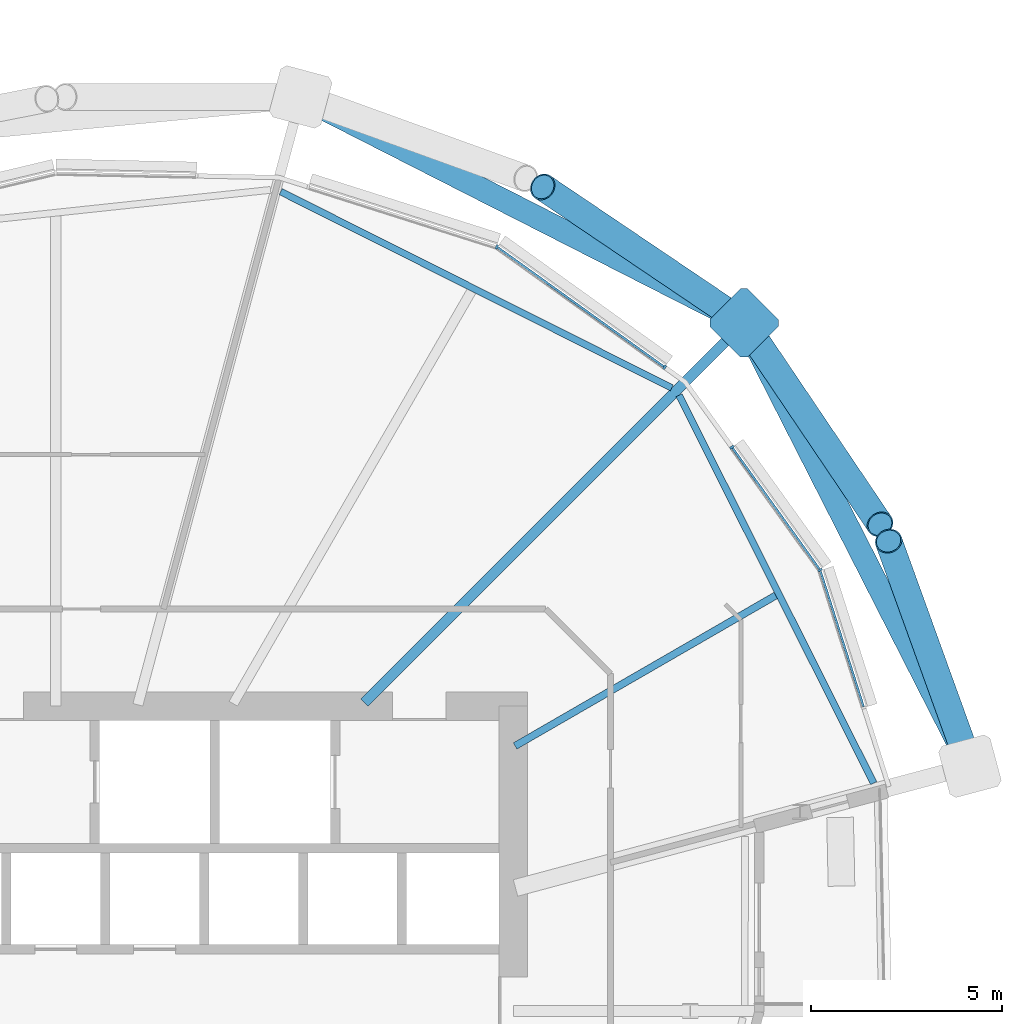
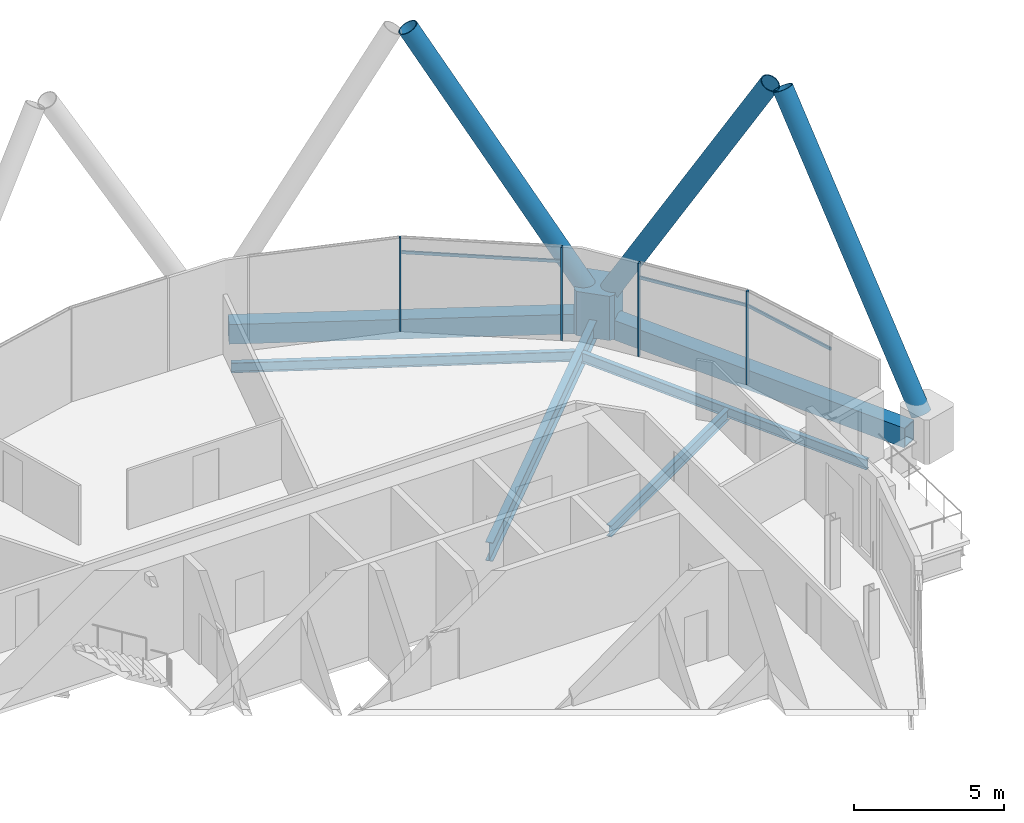
# One storey, part 21 of 38: 11 members, 6 beams, 1 element without a shape of its own.
"""IFC4 building model written with IfcOpenShell, lengths in metres."""

import ifcopenshell
import ifcopenshell.guid

model = None  # the IFC model being written
_history = None  # IfcOwnerHistory: only IFC2X3 demands one
_inside = {}  # id of a spatial element -> (the spatial element, [elements in it])
_under = {}  # id of a project, library or spatial element -> (it, [spatial elements below it])
_declared = {}  # id of a project -> (the project, [libraries it declares])
_typed = {}  # id of a type object -> (the type object, [elements of that type])
_made_of = {}  # id of a material, layer set ... -> (it, [elements and type objects made of it])


def new_model(schema):
    """Start an empty IFC model of exactly this schema.

    Asked for "IFC4X3", IfcOpenShell would pick the latest addendum, in which some entities
    have other attributes; the version numbers below select the first issue.
    IFC2X3 requires an IfcOwnerHistory on every rooted entity: one is made here for all.
    """
    global model, _history
    if schema == "IFC4X3":
        model = ifcopenshell.file(schema_version=(4, 3, 0, 0))
    else:
        model = ifcopenshell.file(schema=schema)
    _inside.clear()
    _under.clear()
    _declared.clear()
    _typed.clear()
    _made_of.clear()
    _history = None
    if model.schema == "IFC2X3":
        org = make("IfcOrganization", Name="unknown")
        user = make(
            "IfcPersonAndOrganization",
            ThePerson=make("IfcPerson", FamilyName="unknown"),
            TheOrganization=org,
        )
        app = make(
            "IfcApplication",
            ApplicationDeveloper=org,
            Version="unknown",
            ApplicationFullName="unknown",
            ApplicationIdentifier="unknown",
        )
        _history = make(
            "IfcOwnerHistory",
            OwningUser=user,
            OwningApplication=app,
            ChangeAction="ADDED",
            CreationDate=0,
        )
    return model


def make(cls, **values):
    """One entity of the class cls with the attributes given. An attribute that is None is left unset."""
    return model.create_entity(
        cls, **{name: value for name, value in values.items() if value is not None}
    )


def rooted(cls, **values):
    """An entity with a GlobalId (a new one), such as an element, a storey or a relation."""
    return make(cls, GlobalId=ifcopenshell.guid.new(), OwnerHistory=_history, **values)


def si_unit(unit_type, name, prefix=None):
    """IfcSIUnit, for example si_unit("LENGTHUNIT", "METRE", prefix="MILLI")."""
    return make("IfcSIUnit", UnitType=unit_type, Prefix=prefix, Name=name)


def assignment(units):
    """IfcUnitAssignment: the units of a project."""
    return None if units is None else make("IfcUnitAssignment", Units=units)


def point(xyz):
    """IfcCartesianPoint."""
    return None if xyz is None else make("IfcCartesianPoint", Coordinates=xyz)


def direction(xyz):
    """IfcDirection."""
    return None if xyz is None else make("IfcDirection", DirectionRatios=xyz)


def frame(location, z_axis=None, x_axis=None):
    """IfcAxis2Placement3D, a coordinate frame: its origin and axes. An axis left out is left unset."""
    return make(
        "IfcAxis2Placement3D",
        Location=point(location),
        Axis=direction(z_axis),
        RefDirection=direction(x_axis),
    )


def frame_2d(location, x_axis=None):
    """IfcAxis2Placement2D, a coordinate frame in the plane: its origin and x axis."""
    return make(
        "IfcAxis2Placement2D", Location=point(location), RefDirection=direction(x_axis)
    )


def origin():
    """The frame at (0, 0, 0) with its axes left unset."""
    return frame((0.0, 0.0, 0.0))


def origin_2d():
    """The frame at (0, 0) in the plane with its x axis left unset."""
    return frame_2d((0.0, 0.0))


def place(relative_to, where):
    """IfcLocalPlacement: puts the frame where relative to a parent placement (None: the world)."""
    return make(
        "IfcLocalPlacement", PlacementRelTo=relative_to, RelativePlacement=where
    )


def context(
    kind, dimensions, precision=None, world=None, true_north=None, identifier=None
):
    """IfcGeometricRepresentationContext, for example the 3D "Model" context."""
    return make(
        "IfcGeometricRepresentationContext",
        ContextIdentifier=identifier,
        ContextType=kind,
        CoordinateSpaceDimension=dimensions,
        Precision=precision,
        WorldCoordinateSystem=world,
        TrueNorth=true_north,
    )


def subcontext(parent, identifier, kind, view, scale=None):
    """IfcGeometricRepresentationSubContext, for example "Body" below "Model"."""
    return make(
        "IfcGeometricRepresentationSubContext",
        ContextIdentifier=identifier,
        ContextType=kind,
        ParentContext=parent,
        TargetScale=scale,
        TargetView=view,
    )


def project(units=None, contexts=None):
    """IfcProject with its units and contexts."""
    return rooted(
        "IfcProject",
        Name="project",
        RepresentationContexts=contexts,
        UnitsInContext=assignment(units),
    )


def spatial(cls, under=None, at=None, **own):
    """A site, building, storey or space (cls), placed at a placement, below another one or the project."""
    s = rooted(cls, ObjectPlacement=at, **own)
    if under is not None:
        _under.setdefault(under.id(), (under, []))[1].append(s)
    return s


def polyline(points):
    """IfcPolyline through the points."""
    return make("IfcPolyline", Points=[point(p) for p in points])


def profile(cls, at=None, kind="AREA", **sizes):
    """A parametric profile (cls). Its sizes go by their IFC names, for example OverallWidth=200.0."""
    return make(cls, ProfileType=kind, Position=at, **sizes)


def rectangle(**sizes):
    """IfcRectangleProfileDef."""
    return profile("IfcRectangleProfileDef", **sizes)


def hollow_rectangle(**sizes):
    """IfcRectangleHollowProfileDef."""
    return profile("IfcRectangleHollowProfileDef", **sizes)


def hollow_circle(**sizes):
    """IfcCircleHollowProfileDef."""
    return profile("IfcCircleHollowProfileDef", **sizes)


def i_section(**sizes):
    """IfcIShapeProfileDef."""
    return profile("IfcIShapeProfileDef", **sizes)


def outline(outer, holes=None, kind="AREA"):
    """IfcArbitraryClosedProfileDef: a profile drawn as a closed curve; with holes, ...WithVoids."""
    if holes is None:
        return make("IfcArbitraryClosedProfileDef", ProfileType=kind, OuterCurve=outer)
    return make(
        "IfcArbitraryProfileDefWithVoids",
        ProfileType=kind,
        OuterCurve=outer,
        InnerCurves=holes,
    )


def extrude(swept, where, along, depth):
    """IfcExtrudedAreaSolid: the profile swept, set in the frame where, extruded along a direction by depth."""
    return make(
        "IfcExtrudedAreaSolid",
        SweptArea=swept,
        Position=where,
        ExtrudedDirection=direction(along),
        Depth=depth,
    )


def shape(context_of_items, identifier, shape_type, items):
    """IfcShapeRepresentation: the items that make up one representation, for example the "Body"."""
    return make(
        "IfcShapeRepresentation",
        ContextOfItems=context_of_items,
        RepresentationIdentifier=identifier,
        RepresentationType=shape_type,
        Items=items,
    )


def material(Name=None, Category=None):
    """IfcMaterial."""
    return make("IfcMaterial", Name=Name, Category=Category)


def material_profile(
    of_material, cross_section, Name=None, Category=None, Priority=None
):
    """IfcMaterialProfile: a cross section and its material."""
    return make(
        "IfcMaterialProfile",
        Name=Name,
        Material=of_material,
        Profile=cross_section,
        Priority=Priority,
        Category=Category,
    )


def profile_set(profiles, Name=None, composite=None):
    """IfcMaterialProfileSet."""
    return make(
        "IfcMaterialProfileSet",
        Name=Name,
        MaterialProfiles=profiles,
        CompositeProfile=composite,
    )


def made_of(thing, what):
    """Note that an element or type object is made of a material, layer set ...; save() writes the relation."""
    if what is not None:
        _made_of.setdefault(what.id(), (what, []))[1].append(thing)
    return thing


def type_object(cls, material=None, **own):
    """A type object (cls), such as IfcWallType, which elements share."""
    return made_of(rooted(cls, **own), material)


def element(
    cls,
    number,
    at=None,
    inside=None,
    cuts=None,
    type_object=None,
    material=None,
    context=None,
    identifier="Body",
    shape_type=None,
    held_by="IfcProductDefinitionShape",
    body=None,
    shapes=None,
    **own,
):
    """One element of the class cls, such as IfcWall. Its Tag is "e" and its number.

    at: its placement. inside: the storey or other place that contains it. cuts: it is an
    opening in that element (IfcRelVoidsElement). A single representation is given by context,
    identifier, shape_type and body (its items); several are given by shapes. held_by: the class
    of the entity that holds the representations. save() writes the other relations.
    """
    e = rooted(cls, Tag="e%d" % number, ObjectPlacement=at, **own)
    if body is not None:
        shapes = [shape(context, identifier, shape_type, body)]
    if shapes is not None:
        e.Representation = make(held_by, Representations=shapes)
    if inside is not None:
        _inside.setdefault(inside.id(), (inside, []))[1].append(e)
    if cuts is not None:
        rooted(
            "IfcRelVoidsElement", RelatingBuildingElement=cuts, RelatedOpeningElement=e
        )
    if type_object is not None:
        _typed.setdefault(type_object.id(), (type_object, []))[1].append(e)
    return made_of(e, material)


def aggregate(whole, parts):
    """IfcRelAggregates: a whole, such as a stair, and the parts it consists of."""
    return rooted("IfcRelAggregates", RelatingObject=whole, RelatedObjects=parts)


def save(model, path):
    """Write the relations noted so far, then the file.

    IfcRelAggregates (storeys below a building ...), IfcRelContainedInSpatialStructure (elements
    in a storey), IfcRelDefinesByType, IfcRelAssociatesMaterial and IfcRelDeclares: one each for
    every whole, place, type object, material and project.
    """
    for whole, parts in _under.values():
        aggregate(whole, parts)
    for where, things in _inside.values():
        rooted(
            "IfcRelContainedInSpatialStructure",
            RelatedElements=things,
            RelatingStructure=where,
        )
    for kind, things in _typed.values():
        rooted("IfcRelDefinesByType", RelatedObjects=things, RelatingType=kind)
    for what, things in _made_of.values():
        rooted("IfcRelAssociatesMaterial", RelatedObjects=things, RelatingMaterial=what)
    for by, libraries in _declared.values():
        rooted("IfcRelDeclares", RelatingContext=by, RelatedDefinitions=libraries)
    model.write(path)


model = new_model("IFC4")

# Units and contexts
model_context = context("Model", 3, precision=1e-05, world=origin(), true_north=direction((0.0, 1.0)))
body_context = subcontext(model_context, "Body", "Model", "MODEL_VIEW")
ifc_project = project(units=[si_unit("LENGTHUNIT", "METRE"), si_unit("AREAUNIT", "SQUARE_METRE"), si_unit("VOLUMEUNIT", "CUBIC_METRE"), si_unit("PLANEANGLEUNIT", "RADIAN"), si_unit("MASSUNIT", "GRAM", prefix="KILO")], contexts=[model_context])

# Site, building, storey
site_placement = place(None, origin())
site = spatial("IfcSite", under=ifc_project, at=site_placement, CompositionType="ELEMENT")
building_placement = place(site_placement, origin())
building = spatial("IfcBuilding", under=site, at=building_placement, Name="Rimbun Link Towers", CompositionType="ELEMENT")
storey_placement = place(building_placement, frame((0.0, 0.0, 104.39990234375)))
storey = spatial("IfcBuildingStorey", under=building, at=storey_placement, Name="L25", CompositionType="ELEMENT", Elevation=104.39990234375)

# Curtain wall, members
ifc_material_1 = material(Name="Aluminium 6063-T6 and low-iron glass", Category="aluminium")
curtain_wall_type = type_object("IfcCurtainWallType", Name="CW1-Z2 unitised vision wall (zone 2)", PredefinedType="NOTDEFINED", material=ifc_material_1)
curtain_wall_placement = place(storey_placement, origin())
curtain_wall = element("IfcCurtainWall", 1, at=curtain_wall_placement, inside=storey, type_object=curtain_wall_type, Name="CW1 L25 T2", PredefinedType="NOTDEFINED")
ifc_material_2 = material(Name="Aluminium 6063-T6", Category="aluminium")
ifc_material_profile_1 = material_profile(ifc_material_2, rectangle(XDim=0.1201171875, YDim=0.06005859375, at=origin_2d()), Name="MULLION 60X120")
ifc_profile_set_1 = profile_set([ifc_material_profile_1], Name="Aluminium 6063-T6")
member_type_1 = type_object("IfcMemberType", Name="CW1 mullion 60X120", PredefinedType="MULLION", material=ifc_profile_set_1)
member_1_placement = place(storey_placement, frame((43.3203125, 20.04736328125, 0.0), z_axis=(0.0, 0.0, 1.0), x_axis=(0.448567495073, 0.893748959364, 0.0)))
member_1 = element("IfcMember", 2, at=member_1_placement, type_object=member_type_1, Name="CW1 mullion", PredefinedType="MULLION", context=body_context, shape_type="SweptSolid", body=[
    extrude(rectangle(XDim=0.1201171875, YDim=0.06005859375, at=origin_2d()), origin(), (0.0, 0.0, 1.0), 3.800048828125),
])
member_2_placement = place(storey_placement, frame((47.72021484375, 16.89111328125, 0.0), z_axis=(0.0, 0.0, 1.0), x_axis=(0.583006707221, 0.812467340473, 0.0)))
member_2 = element("IfcMember", 3, at=member_2_placement, type_object=member_type_1, Name="CW1 mullion", PredefinedType="MULLION", context=body_context, shape_type="SweptSolid", body=[
    extrude(rectangle(XDim=0.1201171875, YDim=0.06005859375, at=origin_2d()), origin(), (0.0, 0.0, 1.0), 3.800048828125),
])
member_3_placement = place(storey_placement, frame((51.79736328125, 11.5703125, 0.0), z_axis=(0.0, 0.0, 1.0), x_axis=(0.893748959364, 0.448567495073, 0.0)))
member_3 = element("IfcMember", 4, at=member_3_placement, type_object=member_type_1, Name="CW1 mullion", PredefinedType="MULLION", context=body_context, shape_type="SweptSolid", body=[
    extrude(rectangle(XDim=0.1201171875, YDim=0.06005859375, at=origin_2d()), origin(), (0.0, 0.0, 1.0), 3.800048828125),
])
member_4_placement = place(storey_placement, frame((49.486328125, 14.7919921875, 0.0), z_axis=(0.0, 0.0, 1.0), x_axis=(0.812467340473, 0.583006707221, 0.0)))
member_4 = element("IfcMember", 5, at=member_4_placement, type_object=member_type_1, Name="CW1 mullion", PredefinedType="MULLION", context=body_context, shape_type="SweptSolid", body=[
    extrude(rectangle(XDim=0.1201171875, YDim=0.06005859375, at=origin_2d()), origin(), (0.0, 0.0, 1.0), 3.800048828125),
])
ifc_material_3 = material(Name="Aluminium 6063-T6", Category="aluminium")
ifc_material_profile_2 = material_profile(ifc_material_3, rectangle(XDim=0.06005859375, YDim=0.1201171875, at=origin_2d()), Name="TRANSOM 60X120")
ifc_profile_set_2 = profile_set([ifc_material_profile_2], Name="Aluminium 6063-T6")
member_type_2 = type_object("IfcMemberType", Name="CW1 transom 60X120", PredefinedType="USERDEFINED", material=ifc_profile_set_2)
member_5_placement = place(storey_placement, frame((43.3515625, 20.0234375, 3.2001953125), z_axis=(0.812466294381, -0.583008165033, 0.0), x_axis=(0.583008165033, 0.812466294381, 0.0)))
member_5 = element("IfcMember", 6, at=member_5_placement, type_object=member_type_2, Name="CW1 transom", ObjectType="TRANSOM", PredefinedType="USERDEFINED", context=body_context, shape_type="SweptSolid", body=[
    extrude(rectangle(XDim=0.06005859375, YDim=0.1201171875, at=origin_2d()), origin(), (0.0, 0.0, 1.0), 5.345458984375),
])
member_6_placement = place(storey_placement, frame((51.80810546875, 11.532470703125, 3.2001953125), z_axis=(0.30305203266, -0.952974010926, 0.0), x_axis=(0.952974010926, 0.30305203266, 0.0)))
member_6 = element("IfcMember", 7, at=member_6_placement, type_object=member_type_2, Name="CW1 transom", ObjectType="TRANSOM", PredefinedType="USERDEFINED", context=body_context, shape_type="SweptSolid", body=[
    extrude(rectangle(XDim=0.06005859375, YDim=0.1201171875, at=origin_2d()), origin(), (0.0, 0.0, 1.0), 3.721923828125),
])
member_7_placement = place(storey_placement, frame((49.502197265625, 14.7666015625, 3.2001953125), z_axis=(0.583021204161, -0.812456937627, 0.0), x_axis=(0.812456937627, 0.583021204161, 0.0)))
member_7 = element("IfcMember", 8, at=member_7_placement, type_object=member_type_2, Name="CW1 transom", ObjectType="TRANSOM", PredefinedType="USERDEFINED", context=body_context, shape_type="SweptSolid", body=[
    extrude(rectangle(XDim=0.06005859375, YDim=0.1201171875, at=origin_2d()), origin(), (0.0, 0.0, 1.0), 3.895751953125),
])
aggregate(curtain_wall, [member_1, member_2, member_3, member_4, member_5, member_6, member_7])

# Members
ifc_material_4 = material(Name="Steel S460NH", Category="steel")
ifc_material_profile_3 = material_profile(ifc_material_4, hollow_circle(Radius=0.355712890625, WallThickness=0.031982421875, at=origin_2d()), Name="Diagrid diagonal CHS 711x32")
ifc_profile_set_3 = profile_set([ifc_material_profile_3], Name="Steel S460NH")
member_type_3 = type_object("IfcMemberType", Name="Diagrid diagonal CHS 711x32", PredefinedType="BRACE", material=ifc_profile_set_3)
for number, where, z_axis, x_axis, name in (
    (9, (49.94482421875, 17.84619140625, 0.432373046875), (0.281101928051, -0.416463626263, 0.864603813342), (0.828858844071, 0.559457788046, 0.0), "Diagrid diagonal T2 L25-L28 00a"),
    (10, (49.59619140625, 18.19482421875, 0.432373046875), (-0.416463626263, 0.281101928051, 0.864603813342), (-0.559457788046, -0.828858844071, 0.0), "Diagrid diagonal T2 L25-L28 00b"),
):
    element("IfcMember", number, at=place(storey_placement, frame(where, z_axis=z_axis, x_axis=x_axis)), inside=storey, type_object=member_type_3, Name=name, PredefinedType="BRACE", context=body_context, shape_type="SweptSolid", body=[
        extrude(hollow_circle(Radius=0.355712890625, WallThickness=0.031982421875, at=origin_2d()), origin(), (0.0, 0.0, 1.0), 12.185302734375),
    ])
member_8_placement = place(storey_placement, frame((55.6455078125, 6.658935546875, 0.43408203125), z_axis=(-0.16895796156, 0.467264618541, 0.867823129148), x_axis=(-0.940410110732, -0.340042385054, 0.0)))
element("IfcMember", 11, at=member_8_placement, inside=storey, type_object=member_type_3, Name="Diagrid diagonal T2 L25-L28 22b", PredefinedType="BRACE", context=body_context, shape_type="SweptSolid", body=[
    extrude(hollow_circle(Radius=0.355712890625, WallThickness=0.031982421875, at=origin_2d()), origin(), (0.0, 0.0, 1.0), 12.136474609375),
])
ifc_material_5 = material(Name="Cast steel G20Mn5+QT, Rp0.2 300 MPa", Category="steel")
ifc_material_profile_4 = material_profile(ifc_material_5, outline(polyline([(0.699951171875, -0.570068359375), (0.699951171875, 0.570068359375), (0.570068359375, 0.699951171875), (-0.570068359375, 0.699951171875), (-0.699951171875, 0.570068359375), (-0.699951171875, -0.570068359375), (-0.570068359375, -0.699951171875), (0.570068359375, -0.699951171875), (0.699951171875, -0.570068359375)])), Name="NODE 1400x1400")
ifc_profile_set_4 = profile_set([ifc_material_profile_4], Name="Cast steel G20Mn5+QT, Rp0.2 300 MPa")
member_type_4 = type_object("IfcMemberType", Name="Diagrid node cast 1400", PredefinedType="USERDEFINED", material=ifc_profile_set_4)
member_9_placement = place(storey_placement, frame((49.80419921875, 18.05419921875, -0.89990234375), z_axis=(0.0, 0.0, 1.0), x_axis=(0.707106781187, 0.707106781187, 0.0)))
element("IfcMember", 12, at=member_9_placement, inside=storey, type_object=member_type_4, Name="Diagrid node L25 00", ObjectType="Diagrid node", PredefinedType="USERDEFINED", context=body_context, shape_type="SweptSolid", body=[
    extrude(outline(polyline([(0.699951171875, -0.570068359375), (0.699951171875, 0.570068359375), (0.570068359375, 0.699951171875), (-0.570068359375, 0.699951171875), (-0.699951171875, 0.570068359375), (-0.699951171875, -0.570068359375), (-0.570068359375, -0.699951171875), (0.570068359375, -0.699951171875), (0.699951171875, -0.570068359375)])), origin(), (0.0, 0.0, 1.0), 1.800048828125),
])

# Beams
ifc_material_6 = material(Name="Steel S355J2", Category="steel")
ifc_material_profile_5 = material_profile(ifc_material_6, hollow_rectangle(XDim=0.60009765625, YDim=0.800048828125, WallThickness=0.0400390625, at=origin_2d()), Name="Exoskeleton ring girder BOX 600x800x40")
ifc_profile_set_5 = profile_set([ifc_material_profile_5], Name="Steel S355J2")
beam_type_1 = type_object("IfcBeamType", Name="Exoskeleton ring girder BOX 600x800x40", PredefinedType="BEAM", material=ifc_profile_set_5)
for number, where, z_axis, x_axis, name in (
    (13, (49.1806640625, 18.3720703125, -0.559814453125), (-0.890994239849, 0.454014608307, 0.0), (-0.454014608307, -0.890994239849, 0.0), "Exoskeleton ring girder L25 00"),
    (14, (55.412109375, 7.049072265625, -0.559814453125), (-0.454014608307, 0.890994239849, 0.0), (-0.890994239849, -0.454014608307, 0.0), "Exoskeleton ring girder L25 09"),
):
    element("IfcBeam", number, at=place(storey_placement, frame(where, z_axis=z_axis, x_axis=x_axis)), inside=storey, type_object=beam_type_1, Name=name, PredefinedType="BEAM", context=body_context, shape_type="SweptSolid", body=[
        extrude(hollow_rectangle(XDim=0.60009765625, YDim=0.800048828125, WallThickness=0.0400390625, at=origin_2d()), origin(), (0.0, 0.0, 1.0), 11.651611328125),
    ])
ifc_material_7 = material(Name="Steel S355J2", Category="steel")
ifc_material_profile_6 = material_profile(ifc_material_7, i_section(OverallWidth=0.177978515625, OverallDepth=0.406494140625, WebThickness=0.0078125, FlangeThickness=0.0126953125, at=origin_2d()), Name="UB 406x178x60")
ifc_profile_set_6 = profile_set([ifc_material_profile_6], Name="Steel S355J2")
beam_type_2 = type_object("IfcBeamType", Name="UB 406x178x60", PredefinedType="BEAM", material=ifc_profile_set_6)
beam_1_placement = place(storey_placement, frame((47.90771484375, 16.34765625, -0.363037109375), z_axis=(-0.893754057386, 0.448557337368, 0.0), x_axis=(-0.448557337368, -0.893754057386, 0.0)))
element("IfcBeam", 15, at=beam_1_placement, inside=storey, type_object=beam_type_2, Name="Edge beam T2 L25 00-02", PredefinedType="BEAM", context=body_context, shape_type="SweptSolid", body=[
    extrude(i_section(OverallWidth=0.177978515625, OverallDepth=0.406494140625, WebThickness=0.0078125, FlangeThickness=0.0126953125, at=origin_2d()), origin(), (0.0, 0.0, 1.0), 11.478271484375),
])
beam_2_placement = place(storey_placement, frame((53.204345703125, 5.982666015625, -0.363037109375), z_axis=(-0.448559818809, 0.893752811996, 0.0), x_axis=(-0.893752811996, -0.448559818809, 0.0)))
element("IfcBeam", 16, at=beam_2_placement, inside=storey, type_object=beam_type_2, Name="Edge beam T2 L25 22-00", PredefinedType="BEAM", context=body_context, shape_type="SweptSolid", body=[
    extrude(i_section(OverallWidth=0.177978515625, OverallDepth=0.406494140625, WebThickness=0.0078125, FlangeThickness=0.0126953125, at=origin_2d()), origin(), (0.0, 0.0, 1.0), 11.384521484375),
])
ifc_material_8 = material(Name="Steel S355J2", Category="steel")
ifc_material_profile_7 = material_profile(ifc_material_8, i_section(OverallWidth=0.18994140625, OverallDepth=0.453369140625, WebThickness=0.008544921875, FlangeThickness=0.0126953125, at=origin_2d()), Name="UB 457x191x67")
ifc_profile_set_7 = profile_set([ifc_material_profile_7], Name="Steel S355J2")
beam_type_3 = type_object("IfcBeamType", Name="UB 457x191x67", PredefinedType="BEAM", material=ifc_profile_set_7)
beam_3_placement = place(storey_placement, frame((43.79833984375, 6.9560546875, -0.38671875), z_axis=(0.866022826155, 0.500004464558, 0.0), x_axis=(-0.500004464558, 0.866022826155, 0.0)))
element("IfcBeam", 17, at=beam_3_placement, inside=storey, type_object=beam_type_3, Name="Radial beam T2 L25 23", PredefinedType="BEAM", context=body_context, shape_type="SweptSolid", body=[
    extrude(i_section(OverallWidth=0.18994140625, OverallDepth=0.453369140625, WebThickness=0.008544921875, FlangeThickness=0.0126953125, at=origin_2d()), origin(), (0.0, 0.0, 1.0), 7.8935546875),
])
ifc_material_9 = material(Name="Steel S355J2", Category="steel")
ifc_material_profile_8 = material_profile(ifc_material_9, i_section(OverallWidth=0.2666015625, OverallDepth=0.76220703125, WebThickness=0.014404296875, FlangeThickness=0.021484375, at=origin_2d()), Name="UB 762x267x173")
ifc_profile_set_8 = profile_set([ifc_material_profile_8], Name="Steel S355J2")
beam_type_4 = type_object("IfcBeamType", Name="UB 762x267x173", PredefinedType="BEAM", material=ifc_profile_set_8)
beam_4_placement = place(storey_placement, frame((39.844970703125, 8.094970703125, -0.541015625), z_axis=(0.707106781187, 0.707106781187, 0.0), x_axis=(-0.707106781187, 0.707106781187, 0.0)))
element("IfcBeam", 18, at=beam_4_placement, inside=storey, type_object=beam_type_4, Name="Radial beam T2 L25 00", PredefinedType="BEAM", context=body_context, shape_type="SweptSolid", body=[
    extrude(i_section(OverallWidth=0.2666015625, OverallDepth=0.76220703125, WebThickness=0.014404296875, FlangeThickness=0.021484375, at=origin_2d()), origin(), (0.0, 0.0, 1.0), 13.58447265625),
])

save(model, "model.ifc")
